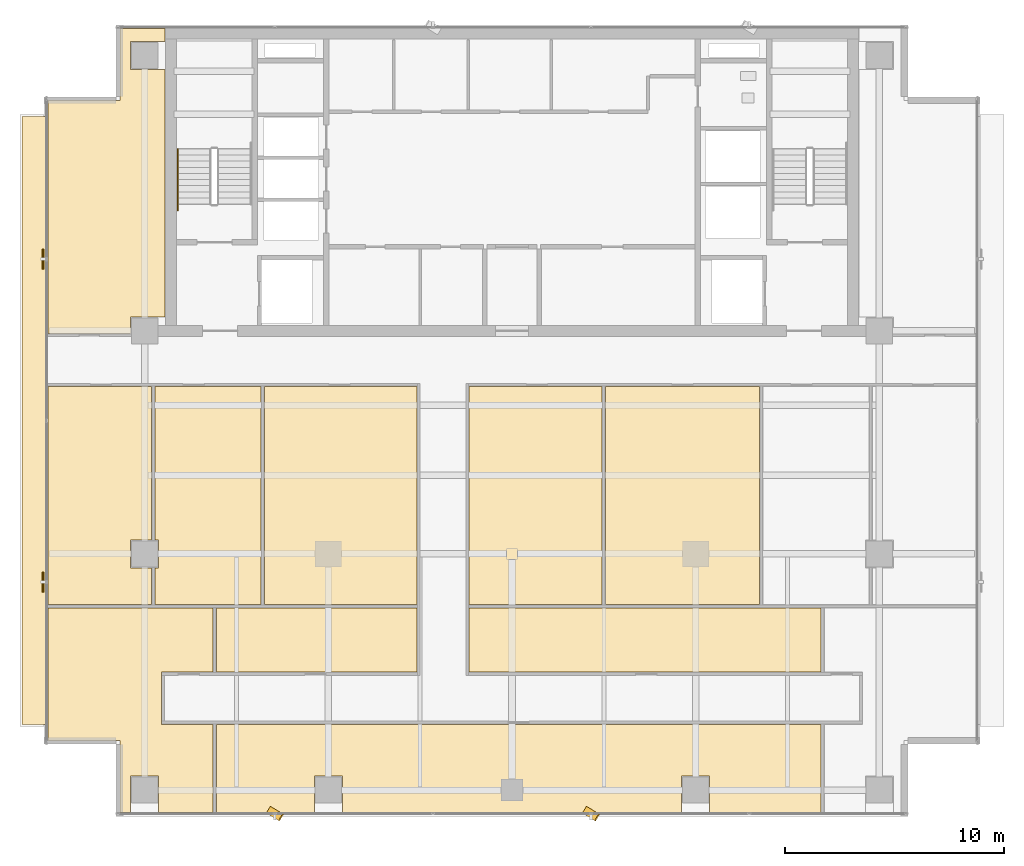
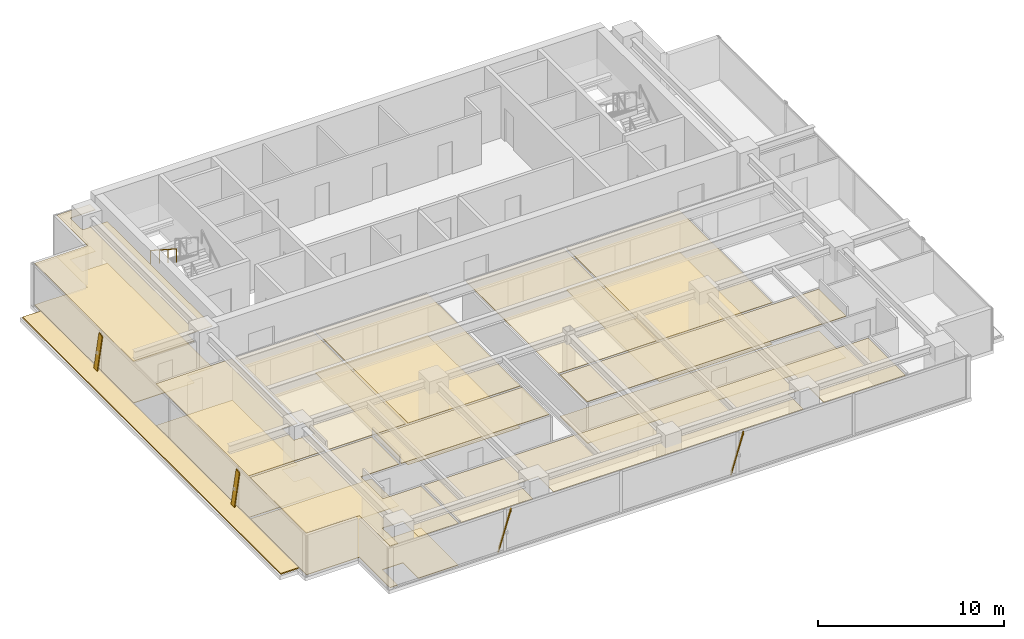
# One storey, part 19 of 22: 17 coverings, 4 shading devices, 1 railing.
"""IFC4 building model written with IfcOpenShell, lengths in metres."""

from ifc_helpers import new_model, si_unit, direction, frame, origin, origin_2d, place, context, subcontext, project, spatial, polyline, rectangle, outline, extrude, source, transform, mapped, material, layer, layer_set, material_profile, profile_set, type_object, element, save


model = new_model("IFC4")

# Units and contexts
model_context = context("Model", 3, precision=1e-05, world=origin(), true_north=direction((0.0, 1.0)))
body_context = subcontext(model_context, "Body", "Model", "MODEL_VIEW")
ifc_project = project(units=[si_unit("LENGTHUNIT", "METRE"), si_unit("AREAUNIT", "SQUARE_METRE"), si_unit("VOLUMEUNIT", "CUBIC_METRE"), si_unit("PLANEANGLEUNIT", "RADIAN"), si_unit("MASSUNIT", "GRAM", prefix="KILO")], contexts=[model_context])

# Site, building, storey
site_placement = place(None, origin())
site = spatial("IfcSite", under=ifc_project, at=site_placement, CompositionType="ELEMENT")
building_placement = place(site_placement, origin())
building = spatial("IfcBuilding", under=site, at=building_placement, Name="Sumidabori Civic Tower", CompositionType="ELEMENT")
storey_placement = place(building_placement, frame((0.0, 0.0, 272.0)))
storey = spatial("IfcBuildingStorey", under=building, at=storey_placement, Name="L71", CompositionType="ELEMENT", Elevation=272.0)

# Coverings
ifc_material_1 = material(Name="Perforated Timber Acoustic Ceiling", Category="wood")
ifc_layer_1 = layer(ifc_material_1, 0.044921875, Name="Perforated Timber Acoustic Ceiling")
ifc_layer_set_1 = layer_set([ifc_layer_1], Name="Perforated Timber Acoustic Ceiling")
covering_type_1 = type_object("IfcCoveringType", Name="CV-CEIL-AC2", PredefinedType="CEILING", material=ifc_layer_set_1)
covering_1_placement = place(storey_placement, frame((0.0, 0.0, 2.719970703125)))
element("IfcCovering", 1, at=covering_1_placement, inside=storey, type_object=covering_type_1, Name="Room Acoustic Ceiling L71-01", PredefinedType="CEILING", context=body_context, shape_type="SweptSolid", body=[
    extrude(outline(polyline([(-21.22998046875, 10.090087890625), (-21.22998046875, 20.72998046875), (-17.929931640625, 20.72998046875), (-17.929931640625, 24.030029296875), (-15.8779296875, 24.030029296875), (-15.8779296875, 23.43994140625), (-17.43994140625, 23.43994140625), (-17.43994140625, 22.159912109375), (-15.8779296875, 22.159912109375), (-15.8779296875, 10.840087890625), (-17.43994140625, 10.840087890625), (-17.43994140625, 10.090087890625), (-21.22998046875, 10.090087890625)])), origin(), (0.0, 0.0, 1.0), 0.044921875),
])
covering_2_placement = place(storey_placement, frame((0.0, 0.0, 2.719970703125)))
element("IfcCovering", 2, at=covering_2_placement, inside=storey, type_object=covering_type_1, Name="Room Acoustic Ceiling L71-03", PredefinedType="CEILING", context=body_context, shape_type="SweptSolid", body=[
    extrude(outline(polyline([(-21.22998046875, -2.320068359375), (-21.22998046875, 7.659912109375), (-16.47998046875, 7.659912109375), (-16.47998046875, 0.639892578125), (-17.43994140625, 0.639892578125), (-17.43994140625, -0.639892578125), (-16.47998046875, -0.639892578125), (-16.47998046875, -2.320068359375), (-21.22998046875, -2.320068359375)])), origin(), (0.0, 0.0, 1.0), 0.044921875),
])
covering_3_placement = place(storey_placement, frame((0.0, 0.0, 2.719970703125)))
element("IfcCovering", 3, at=covering_3_placement, inside=storey, type_object=covering_type_1, Name="Room Acoustic Ceiling L71-04", PredefinedType="CEILING", context=body_context, shape_type="SweptSolid", body=[
    extrude(outline(polyline([(-16.159912109375, 0.639892578125), (-16.320068359375, 0.639892578125), (-16.320068359375, 7.659912109375), (-11.47998046875, 7.659912109375), (-11.47998046875, -2.320068359375), (-16.320068359375, -2.320068359375), (-16.320068359375, -0.639892578125), (-16.159912109375, -0.639892578125), (-16.159912109375, 0.639892578125)])), origin(), (0.0, 0.0, 1.0), 0.044921875),
])
covering_4_placement = place(storey_placement, frame((0.0, 0.0, 2.719970703125)))
element("IfcCovering", 4, at=covering_4_placement, inside=storey, type_object=covering_type_1, Name="Room Acoustic Ceiling L71-05", PredefinedType="CEILING", context=body_context, shape_type="SweptSolid", body=[
    extrude(outline(polyline([(-11.320068359375, -2.320068359375), (-11.320068359375, 7.659912109375), (-4.340087890625, 7.659912109375), (-4.340087890625, -2.320068359375), (-11.320068359375, -2.320068359375)])), origin(), (0.0, 0.0, 1.0), 0.044921875),
])
covering_5_placement = place(storey_placement, frame((0.0, 0.0, 2.719970703125)))
element("IfcCovering", 5, at=covering_5_placement, inside=storey, type_object=covering_type_1, Name="Room Acoustic Ceiling L71-06", PredefinedType="CEILING", context=body_context, shape_type="SweptSolid", body=[
    extrude(outline(polyline([(-1.9599609375, 7.659912109375), (4.1201171875, 7.659912109375), (4.1201171875, -2.320068359375), (-1.9599609375, -2.320068359375), (-1.9599609375, 7.659912109375)])), origin(), (0.0, 0.0, 1.0), 0.044921875),
])
covering_6_placement = place(storey_placement, frame((0.0, 0.0, 2.719970703125)))
element("IfcCovering", 6, at=covering_6_placement, inside=storey, type_object=covering_type_1, Name="Room Acoustic Ceiling L71-07", PredefinedType="CEILING", context=body_context, shape_type="SweptSolid", body=[
    extrude(outline(polyline([(4.280029296875, 7.659912109375), (11.320068359375, 7.659912109375), (11.320068359375, -2.320068359375), (4.280029296875, -2.320068359375), (4.280029296875, 7.659912109375)])), origin(), (0.0, 0.0, 1.0), 0.044921875),
])
covering_7_placement = place(storey_placement, frame((0.0, 0.0, 2.719970703125)))
element("IfcCovering", 7, at=covering_7_placement, inside=storey, type_object=covering_type_1, Name="Room Acoustic Ceiling L71-10", PredefinedType="CEILING", context=body_context, shape_type="SweptSolid", body=[
    extrude(outline(polyline([(-13.52001953125, -2.47998046875), (-4.340087890625, -2.47998046875), (-4.340087890625, -5.409912109375), (-13.52001953125, -5.409912109375), (-13.52001953125, -2.47998046875)])), origin(), (0.0, 0.0, 1.0), 0.044921875),
])
covering_8_placement = place(storey_placement, frame((0.0, 0.0, 2.719970703125)))
element("IfcCovering", 8, at=covering_8_placement, inside=storey, type_object=covering_type_1, Name="Room Acoustic Ceiling L71-11", PredefinedType="CEILING", context=body_context, shape_type="SweptSolid", body=[
    extrude(outline(polyline([(-1.9599609375, -5.409912109375), (-1.9599609375, -2.47998046875), (14.1201171875, -2.47998046875), (14.1201171875, -5.409912109375), (-1.9599609375, -5.409912109375)])), origin(), (0.0, 0.0, 1.0), 0.044921875),
])
covering_9_placement = place(storey_placement, frame((0.0, 0.0, 2.719970703125)))
element("IfcCovering", 9, at=covering_9_placement, inside=storey, type_object=covering_type_1, Name="Room Acoustic Ceiling L71-13", PredefinedType="CEILING", context=body_context, shape_type="SweptSolid", body=[
    extrude(outline(polyline([(-17.929931640625, -11.830078125), (-17.929931640625, -8.530029296875), (-21.22998046875, -8.530029296875), (-21.22998046875, -2.47998046875), (-13.679931640625, -2.47998046875), (-13.679931640625, -5.409912109375), (-16.0400390625, -5.409912109375), (-16.0400390625, -7.7900390625), (-13.679931640625, -7.7900390625), (-13.679931640625, -11.830078125), (-16.159912109375, -11.830078125), (-16.159912109375, -10.159912109375), (-17.43994140625, -10.159912109375), (-17.43994140625, -11.830078125), (-17.929931640625, -11.830078125)])), origin(), (0.0, 0.0, 1.0), 0.044921875),
])
covering_10_placement = place(storey_placement, frame((0.0, 0.0, 2.719970703125)))
element("IfcCovering", 10, at=covering_10_placement, inside=storey, type_object=covering_type_1, Name="Room Acoustic Ceiling L71-14", PredefinedType="CEILING", context=body_context, shape_type="SweptSolid", body=[
    extrude(outline(polyline([(14.1201171875, -7.7900390625), (14.1201171875, -11.830078125), (9.0400390625, -11.830078125), (9.0400390625, -10.159912109375), (7.760009765625, -10.159912109375), (7.760009765625, -11.830078125), (-7.760009765625, -11.830078125), (-7.760009765625, -10.159912109375), (-9.0400390625, -10.159912109375), (-9.0400390625, -11.830078125), (-13.52001953125, -11.830078125), (-13.52001953125, -7.7900390625), (14.1201171875, -7.7900390625)])), origin(), (0.0, 0.0, 1.0), 0.044921875),
])
ifc_material_2 = material(Name="Honed Terrazzo Tile Flooring")
ifc_layer_2 = layer(ifc_material_2, 0.030029296875, Name="Honed Terrazzo Tile Flooring")
ifc_layer_set_2 = layer_set([ifc_layer_2], Name="Honed Terrazzo Tile Flooring")
covering_type_2 = type_object("IfcCoveringType", Name="CV-FLR-TER", PredefinedType="FLOORING", material=ifc_layer_set_2)
covering_11_placement = place(storey_placement, origin())
element("IfcCovering", 11, at=covering_11_placement, inside=storey, type_object=covering_type_2, Name="Room Terrazzo Floor L71-01", PredefinedType="FLOORING", context=body_context, shape_type="SweptSolid", body=[
    extrude(outline(polyline([(-21.22998046875, 10.090087890625), (-21.22998046875, 20.72998046875), (-17.929931640625, 20.72998046875), (-17.929931640625, 24.030029296875), (-15.8779296875, 24.030029296875), (-15.8779296875, 23.43994140625), (-17.43994140625, 23.43994140625), (-17.43994140625, 22.159912109375), (-15.8779296875, 22.159912109375), (-15.8779296875, 10.840087890625), (-17.43994140625, 10.840087890625), (-17.43994140625, 10.090087890625), (-21.22998046875, 10.090087890625)])), origin(), (0.0, 0.0, 1.0), 0.030029296875),
])
covering_12_placement = place(storey_placement, origin())
element("IfcCovering", 12, at=covering_12_placement, inside=storey, type_object=covering_type_2, Name="Room Terrazzo Floor L71-03", PredefinedType="FLOORING", context=body_context, shape_type="SweptSolid", body=[
    extrude(outline(polyline([(-21.22998046875, -2.320068359375), (-21.22998046875, 7.659912109375), (-16.47998046875, 7.659912109375), (-16.47998046875, 0.639892578125), (-17.43994140625, 0.639892578125), (-17.43994140625, -0.639892578125), (-16.47998046875, -0.639892578125), (-16.47998046875, -2.320068359375), (-21.22998046875, -2.320068359375)])), origin(), (0.0, 0.0, 1.0), 0.030029296875),
])
covering_13_placement = place(storey_placement, origin())
element("IfcCovering", 13, at=covering_13_placement, inside=storey, type_object=covering_type_2, Name="Room Terrazzo Floor L71-05", PredefinedType="FLOORING", context=body_context, shape_type="SweptSolid", body=[
    extrude(outline(polyline([(-11.320068359375, -2.320068359375), (-11.320068359375, 7.659912109375), (-4.340087890625, 7.659912109375), (-4.340087890625, -2.320068359375), (-11.320068359375, -2.320068359375)])), origin(), (0.0, 0.0, 1.0), 0.030029296875),
])
covering_14_placement = place(storey_placement, origin())
element("IfcCovering", 14, at=covering_14_placement, inside=storey, type_object=covering_type_2, Name="Room Terrazzo Floor L71-07", PredefinedType="FLOORING", context=body_context, shape_type="SweptSolid", body=[
    extrude(outline(polyline([(4.280029296875, 7.659912109375), (11.320068359375, 7.659912109375), (11.320068359375, -2.320068359375), (4.280029296875, -2.320068359375), (4.280029296875, 7.659912109375)])), origin(), (0.0, 0.0, 1.0), 0.030029296875),
])
covering_15_placement = place(storey_placement, origin())
element("IfcCovering", 15, at=covering_15_placement, inside=storey, type_object=covering_type_2, Name="Room Terrazzo Floor L71-11", PredefinedType="FLOORING", context=body_context, shape_type="SweptSolid", body=[
    extrude(outline(polyline([(-1.9599609375, -5.409912109375), (-1.9599609375, -2.47998046875), (14.1201171875, -2.47998046875), (14.1201171875, -5.409912109375), (-1.9599609375, -5.409912109375)])), origin(), (0.0, 0.0, 1.0), 0.030029296875),
])
covering_16_placement = place(storey_placement, origin())
element("IfcCovering", 16, at=covering_16_placement, inside=storey, type_object=covering_type_2, Name="Room Terrazzo Floor L71-13", PredefinedType="FLOORING", context=body_context, shape_type="SweptSolid", body=[
    extrude(outline(polyline([(-17.929931640625, -11.830078125), (-17.929931640625, -8.530029296875), (-21.22998046875, -8.530029296875), (-21.22998046875, -2.47998046875), (-13.679931640625, -2.47998046875), (-13.679931640625, -5.409912109375), (-16.0400390625, -5.409912109375), (-16.0400390625, -7.7900390625), (-13.679931640625, -7.7900390625), (-13.679931640625, -11.830078125), (-16.159912109375, -11.830078125), (-16.159912109375, -10.159912109375), (-17.43994140625, -10.159912109375), (-17.43994140625, -11.830078125), (-17.929931640625, -11.830078125)])), origin(), (0.0, 0.0, 1.0), 0.030029296875),
])
ifc_material_3 = material(Name="Insulated Waterproof Roofing Membrane")
ifc_layer_3 = layer(ifc_material_3, 0.080078125, Name="Insulated Waterproof Roofing Membrane")
ifc_layer_set_3 = layer_set([ifc_layer_3], Name="Insulated Waterproof Roofing Membrane")
covering_type_3 = type_object("IfcCoveringType", Name="CV-ROOF-MEM", PredefinedType="ROOFING", material=ifc_layer_set_3)
covering_17_placement = place(storey_placement, origin())
element("IfcCovering", 17, at=covering_17_placement, inside=storey, type_object=covering_type_3, Name="Setback Roof Membrane L71-1", PredefinedType="ROOFING", context=body_context, shape_type="SweptSolid", body=[
    extrude(outline(polyline([(-22.39990234375, -7.800048828125), (-22.39990234375, 20.0), (-21.25, 20.0), (-21.25, -7.800048828125), (-22.39990234375, -7.800048828125)])), origin(), (0.0, 0.0, 1.0), 0.080078125),
])

# Railing
ifc_material_4 = material(Name="Stainless Steel Hairline Finish", Category="steel")
railing_type = type_object("IfcRailingType", Name="RL-HANDRAIL", PredefinedType="HANDRAIL", material=ifc_material_4)
railing_placement = place(storey_placement, frame((-15.2900390625, 18.52001953125, 1.97998046875)))
element("IfcRailing", 18, at=railing_placement, inside=storey, type_object=railing_type, Name="L71 ST-1 stair handrail 2", PredefinedType="HANDRAIL", context=body_context, shape_type="SweptSolid", body=[
    extrude(rectangle(XDim=0.048095703125, YDim=0.048095703125, at=origin_2d()), frame((0.0, 0.0, 0.8759765625), z_axis=(0.0, -0.840675598268, 0.541539046124), x_axis=(1.0, 0.0, 0.0)), (0.0, 0.0, 1.0), 3.330810546875),
    extrude(rectangle(XDim=0.0419921875, YDim=0.0419921875, at=origin_2d()), origin(), (0.0, 0.0, 1.0), 0.851806640625),
    extrude(rectangle(XDim=0.0419921875, YDim=0.0419921875, at=origin_2d()), frame((0.0, -0.933349609375, 0.601318359375)), (0.0, 0.0, 1.0), 0.851806640625),
    extrude(rectangle(XDim=0.0419921875, YDim=0.0419921875, at=origin_2d()), frame((0.0, -1.86669921875, 1.202392578125)), (0.0, 0.0, 1.0), 0.851806640625),
    extrude(rectangle(XDim=0.0419921875, YDim=0.0419921875, at=origin_2d()), frame((0.0, -2.800048828125, 1.8037109375)), (0.0, 0.0, 1.0), 0.851806640625),
])

# Shading devices
ifc_material_5 = material(Name="Anodised Bronze Aluminium AW-6063-T6", Category="aluminium")
ifc_material_profile = material_profile(ifc_material_5, rectangle(XDim=0.054931640625, YDim=0.360107421875, at=origin_2d()), Name="BRONZE FIN 360x55")
ifc_profile_set = profile_set([ifc_material_profile], Name="Anodised Bronze Aluminium AW-6063-T6")
shading_device_type = type_object("IfcShadingDeviceType", Name="SH-FIN-360", PredefinedType="USERDEFINED", material=ifc_profile_set)
shared_shape_1 = source(origin(), body_context, "Body", "SweptSolid", [
    extrude(rectangle(XDim=0.054931640625, YDim=0.360107421875, at=origin_2d()), origin(), (0.0, 0.0, 1.0), 2.7685546875),
])
for number, where, z_axis, x_axis, name in (
    (19, (-11.1220703125, -11.7099609375, 0.02001953125), (0.202289930374, -0.122837782481, 0.971591304646), (0.830469701518, -0.504291322674, -0.236665030656), "Bronze Anodised Diagonal Fin L71-01"),
    (20, (3.333984375, -11.7099609375, 0.02001953125), (0.202289930374, -0.122837782481, 0.971591304646), (0.830469701518, -0.504291322674, -0.236665030656), "Bronze Anodised Diagonal Fin L71-03"),
):
    element("IfcShadingDevice", number, at=place(storey_placement, frame(where, z_axis=z_axis, x_axis=x_axis)), inside=storey, type_object=shading_device_type, Name=name, ObjectType="FIN", PredefinedType="USERDEFINED", context=body_context, shape_type="MappedRepresentation", body=[
        mapped(shared_shape_1, transform((0.0, 0.0, 0.0), x_axis=(1.0, 0.0, 0.0), y_axis=(0.0, 1.0, 0.0), z_axis=(0.0, 0.0, 1.0), scale=1.0)),
    ])
shared_shape_2 = source(origin(), body_context, "Body", "SweptSolid", [
    extrude(rectangle(XDim=0.054931640625, YDim=0.360107421875, at=origin_2d()), origin(), (0.0, 0.0, 1.0), 2.74755859375),
])
for number, where, z_axis, x_axis, name in (
    (21, (-21.449951171875, 13.764892578125, 0.02001953125), (0.0, -0.203748445037, 0.979023274057), (-1.0, 0.0, 0.0), "Bronze Anodised Diagonal Fin L71-01"),
    (22, (-21.449951171875, -1.0048828125, 0.02001953125), (0.0, -0.20383361069, 0.979005546028), (-1.0, 0.0, 0.0), "Bronze Anodised Diagonal Fin L71-03"),
):
    element("IfcShadingDevice", number, at=place(storey_placement, frame(where, z_axis=z_axis, x_axis=x_axis)), inside=storey, type_object=shading_device_type, Name=name, ObjectType="FIN", PredefinedType="USERDEFINED", context=body_context, shape_type="MappedRepresentation", body=[
        mapped(shared_shape_2, transform((0.0, 0.0, 0.0), x_axis=(1.0, 0.0, 0.0), y_axis=(0.0, 1.0, 0.0), z_axis=(0.0, 0.0, 1.0), scale=1.0)),
    ])

save(model, "model.ifc")
